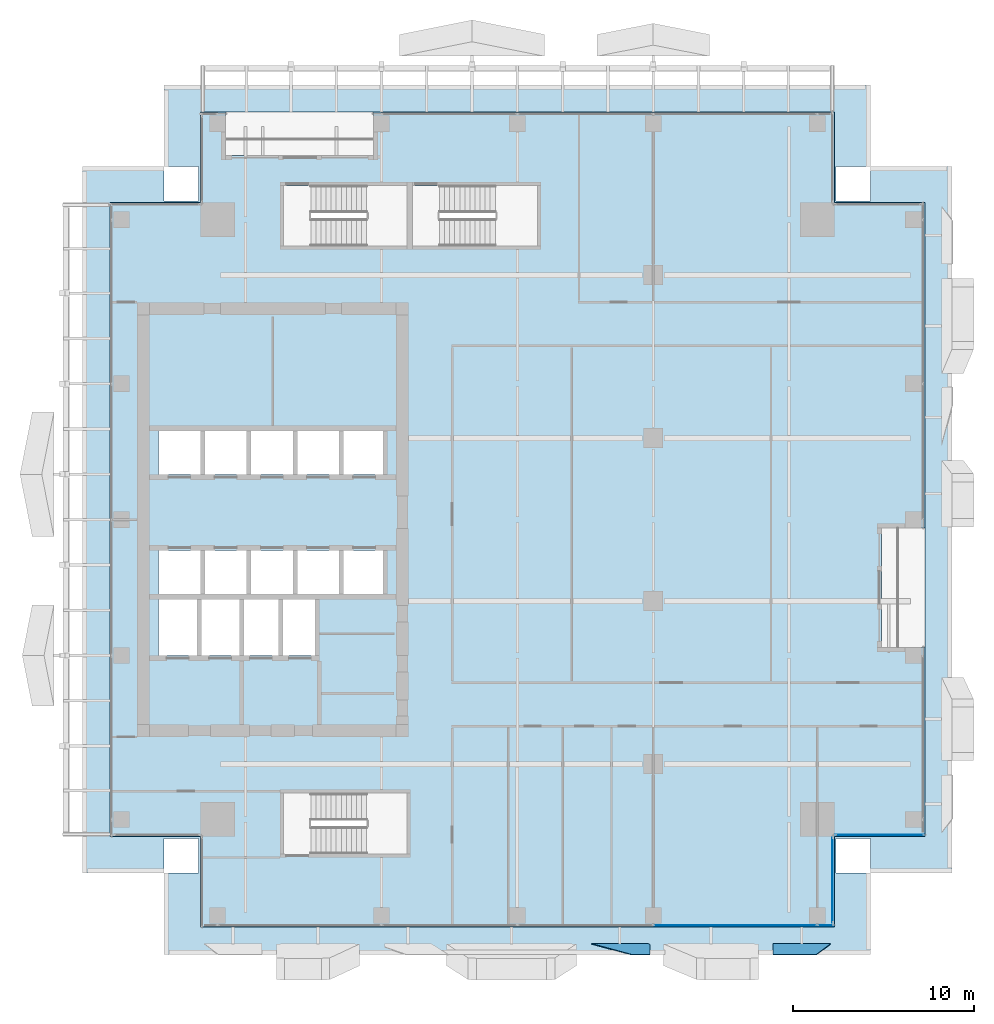
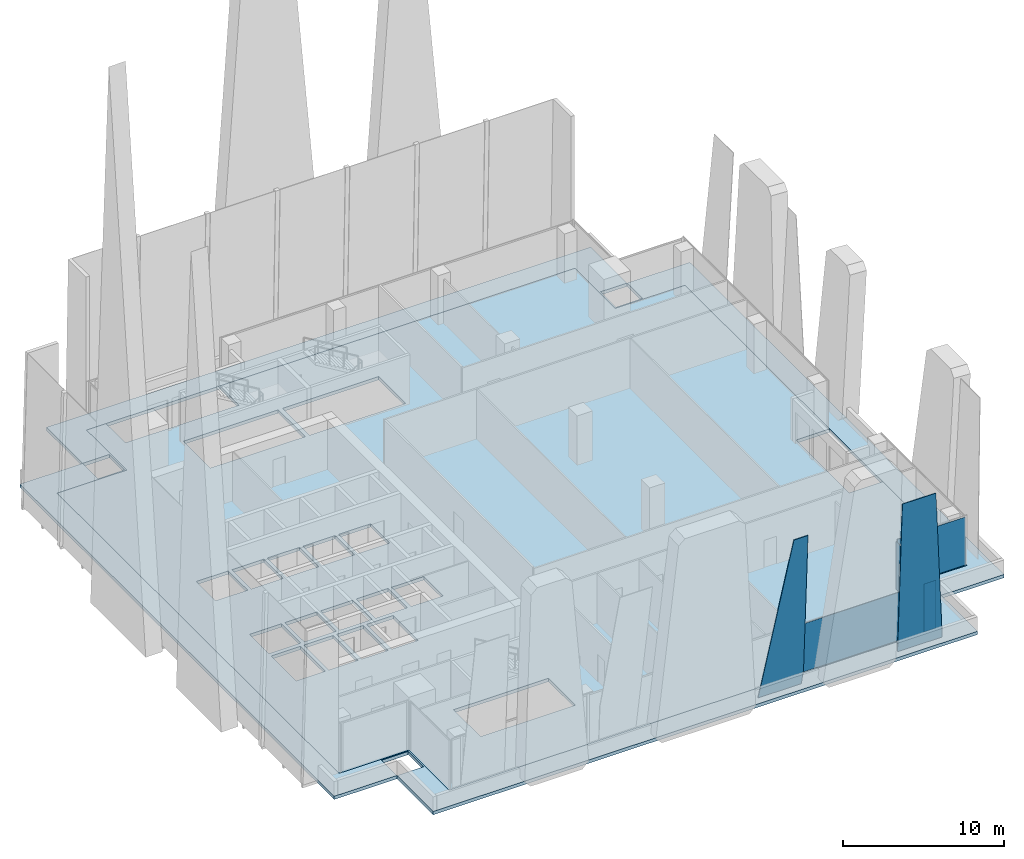
# One storey, part 22 of 33: 6 plates, 2 slabs, 3 elements without a shape of their own.
"""IFC4 building model written with IfcOpenShell, lengths in metres."""

from ifc_helpers import new_model, si_unit, direction, frame, origin, origin_2d, place, context, subcontext, project, spatial, polyline, rectangle, outline, extrude, source, transform, mapped, material, layer, layer_set, type_object, element, aggregate, save


model = new_model("IFC4")

# Units and contexts
model_context = context("Model", 3, precision=1e-05, world=origin(), true_north=direction((0.0, 1.0)))
body_context = subcontext(model_context, "Body", "Model", "MODEL_VIEW")
ifc_project = project(units=[si_unit("LENGTHUNIT", "METRE"), si_unit("AREAUNIT", "SQUARE_METRE"), si_unit("VOLUMEUNIT", "CUBIC_METRE"), si_unit("PLANEANGLEUNIT", "RADIAN"), si_unit("MASSUNIT", "GRAM", prefix="KILO")], contexts=[model_context])

# Site, building, storey
site_placement = place(None, origin())
site = spatial("IfcSite", under=ifc_project, at=site_placement, CompositionType="ELEMENT")
building_placement = place(site_placement, origin())
building = spatial("IfcBuilding", under=site, at=building_placement, Name="Khomas Fold Tower", CompositionType="ELEMENT")
storey_placement = place(building_placement, frame((0.0, 0.0, 222.199951171875)))
storey = spatial("IfcBuildingStorey", under=building, at=storey_placement, Name="L49", CompositionType="ELEMENT", Elevation=222.199951171875)

# Plates
ifc_material_1 = material(Name="Clear laminated glass", Category="glass")
ifc_layer_1 = layer(ifc_material_1, 0.0400390625)
ifc_layer_set_1 = layer_set([ifc_layer_1], Name="Clear laminated glass")
plate_type_1 = type_object("IfcPlateType", Name="SK-Clear laminated glass leaf", PredefinedType="SHEET", material=ifc_layer_set_1)
plate_1_placement = place(storey_placement, frame((34.198486328125, 3.60009765625, 0.0), z_axis=(6.76595e-07, 0.998628828593, 0.052349428866), x_axis=(-1.0, 6.75667e-07, 3.5419e-08)))
element("IfcPlate", 1, at=plate_1_placement, inside=storey, type_object=plate_type_1, Name="OUTER SKIN glass L49 SG102-3", PredefinedType="SHEET", context=body_context, shape_type="SweptSolid", body=[
    extrude(outline(polyline([(0.0, 0.0), (3.0947265624992917, 0.0), (0.8737792968747398, 11.56590767468331), (-0.13159179687503011, 11.56590767468331), (-0.13159179687690706, 1.0539355104953496), (0.0, 0.0)])), origin(), (0.0, 0.0, -1.0), 0.0400390625),
])
plate_2_placement = place(storey_placement, frame((44.299560546875, 3.60009765625, 0.0), z_axis=(0.0, 0.99862882819, 0.052349436554), x_axis=(-1.0, 0.0, 0.0)))
element("IfcPlate", 2, at=plate_2_placement, inside=storey, type_object=plate_type_1, Name="OUTER SKIN glass L49 SG104-4", PredefinedType="SHEET", context=body_context, shape_type="SweptSolid", body=[
    extrude(outline(polyline([(0.0, 0.0), (3.199462890625, 0.0), (3.199462890625, 11.565907674683308), (0.799560546875, 11.565907674683308), (0.0, 0.0)])), origin(), (0.0, 0.0, -1.0), 0.0400390625),
])

# Slabs
ifc_material_2 = material(Name="Concrete C40/50", Category="concrete")
ifc_layer_2 = layer(ifc_material_2, 0.25)
ifc_layer_set_2 = layer_set([ifc_layer_2], Name="Concrete C40/50")
slab_type_1 = type_object("IfcSlabType", Name="RC floor slab 250", PredefinedType="FLOOR", material=ifc_layer_set_2)
shared_shape_1 = source(origin(), body_context, "Body", "SweptSolid", [
    extrude(outline(polyline([(4.5, 9.5), (9.5, 9.5), (9.5, 4.5), (44.5, 4.5), (44.5, 9.5), (49.5, 9.5), (49.5, 19.949951171875), (47.10009765625, 19.949951171875), (47.10009765625, 26.550048828125), (49.5, 26.550048828125), (49.5, 44.5), (44.5, 44.5), (44.5, 49.5), (19.050048828125, 49.5), (19.050048828125, 47.10009765625), (10.89990234375, 47.10009765625), (10.89990234375, 49.5), (9.5, 49.5), (9.5, 44.5), (4.5, 44.5), (4.5, 9.5)]), holes=[polyline([(7.199951171875, 19.5), (7.199951171875, 22.60009765625), (9.300048828125, 22.60009765625), (9.300048828125, 19.5), (7.199951171875, 19.5)]), polyline([(7.199951171875, 22.89990234375), (7.199951171875, 25.300048828125), (9.5, 25.300048828125), (9.5, 22.89990234375), (7.199951171875, 22.89990234375)]), polyline([(7.199951171875, 29.5), (7.199951171875, 31.89990234375), (9.5, 31.89990234375), (9.5, 29.5), (7.199951171875, 29.5)]), polyline([(9.550048828125, 19.5), (9.550048828125, 22.60009765625), (11.64990234375, 22.60009765625), (11.64990234375, 19.5), (9.550048828125, 19.5)]), polyline([(9.75, 22.89990234375), (9.75, 25.300048828125), (12.050048828125, 25.300048828125), (12.050048828125, 22.89990234375), (9.75, 22.89990234375)]), polyline([(9.75, 29.5), (9.75, 31.89990234375), (12.050048828125, 31.89990234375), (12.050048828125, 29.5), (9.75, 29.5)]), polyline([(11.89990234375, 19.5), (11.89990234375, 22.60009765625), (13.800048828125, 22.60009765625), (13.800048828125, 19.5), (11.89990234375, 19.5)]), polyline([(12.300048828125, 22.89990234375), (12.300048828125, 25.300048828125), (14.60009765625, 25.300048828125), (14.60009765625, 22.89990234375), (12.300048828125, 22.89990234375)]), polyline([(12.300048828125, 29.5), (12.300048828125, 31.89990234375), (14.60009765625, 31.89990234375), (14.60009765625, 29.5), (12.300048828125, 29.5)]), polyline([(14.050048828125, 19.5), (14.050048828125, 22.60009765625), (15.949951171875, 22.60009765625), (15.949951171875, 19.5), (14.050048828125, 19.5)]), polyline([(14.10009765625, 8.550048828125), (14.10009765625, 11.89990234375), (20.89990234375, 11.89990234375), (20.89990234375, 8.550048828125), (14.10009765625, 8.550048828125)]), polyline([(14.10009765625, 42.10009765625), (14.10009765625, 45.449951171875), (20.89990234375, 45.449951171875), (20.89990234375, 42.10009765625), (14.10009765625, 42.10009765625)]), polyline([(14.85009765625, 22.89990234375), (14.85009765625, 25.300048828125), (17.14990234375, 25.300048828125), (17.14990234375, 22.89990234375), (14.85009765625, 22.89990234375)]), polyline([(14.85009765625, 29.5), (14.85009765625, 31.89990234375), (17.14990234375, 31.89990234375), (17.14990234375, 29.5), (14.85009765625, 29.5)]), polyline([(17.39990234375, 22.89990234375), (17.39990234375, 25.300048828125), (19.699951171875, 25.300048828125), (19.699951171875, 22.89990234375), (17.39990234375, 22.89990234375)]), polyline([(17.39990234375, 29.5), (17.39990234375, 31.89990234375), (19.699951171875, 31.89990234375), (19.699951171875, 29.5), (17.39990234375, 29.5)]), polyline([(21.199951171875, 42.10009765625), (21.199951171875, 45.449951171875), (28.10009765625, 45.449951171875), (28.10009765625, 42.10009765625), (21.199951171875, 42.10009765625)])]), origin(), (0.0, 0.0, 1.0), 0.25),
])
slab_1_placement = place(storey_placement, frame((0.0, 0.0, -0.25)))
element("IfcSlab", 3, at=slab_1_placement, inside=storey, type_object=slab_type_1, Name="S-L49", PredefinedType="FLOOR", context=body_context, shape_type="MappedRepresentation", body=[
    mapped(shared_shape_1, transform((0.0, 0.0, 0.0))),
])
ifc_material_3 = material(Name="Concrete C40/50", Category="concrete")
ifc_layer_3 = layer(ifc_material_3, 0.25)
ifc_layer_set_3 = layer_set([ifc_layer_3], Name="Concrete C40/50")
slab_type_2 = type_object("IfcSlabType", Name="RC roof slab 250", PredefinedType="ROOF", material=ifc_layer_set_3)
shared_shape_2 = source(origin(), body_context, "Body", "SweptSolid", [
    extrude(outline(polyline([(3.0, 7.5), (7.4951171875, 7.5), (7.4951171875, 9.405029296875), (9.405029296875, 9.405029296875), (9.405029296875, 7.4951171875), (7.5, 7.4951171875), (7.5, 3.0), (46.5, 3.0), (46.5, 7.4951171875), (44.594970703125, 7.4951171875), (44.594970703125, 9.405029296875), (46.5048828125, 9.405029296875), (46.5048828125, 7.5), (51.0, 7.5), (51.0, 46.5), (46.5048828125, 46.5), (46.5048828125, 44.594970703125), (44.594970703125, 44.594970703125), (44.594970703125, 46.5048828125), (46.5, 46.5048828125), (46.5, 51.0), (7.5, 51.0), (7.5, 46.5048828125), (9.405029296875, 46.5048828125), (9.405029296875, 44.594970703125), (7.4951171875, 44.594970703125), (7.4951171875, 46.5), (3.0, 46.5), (3.0, 7.5)]), holes=[polyline([(4.5, 9.5), (4.5, 44.5), (9.5, 44.5), (9.5, 49.5), (44.5, 49.5), (44.5, 44.5), (49.5, 44.5), (49.5, 9.5), (44.5, 9.5), (44.5, 4.5), (9.5, 4.5), (9.5, 9.5), (4.5, 9.5)])]), origin(), (0.0, 0.0, 1.0), 0.25),
])
slab_2_placement = place(storey_placement, frame((0.0, 0.0, -0.25)))
element("IfcSlab", 4, at=slab_2_placement, inside=storey, type_object=slab_type_2, Name="Setback roof slab", PredefinedType="ROOF", context=body_context, shape_type="MappedRepresentation", body=[
    mapped(shared_shape_2, transform((0.0, 0.0, 0.0))),
])

# Curtain wall, plates
ifc_material_4 = material(Name="Aluminium framed double glazing", Category="aluminium")
curtain_wall_type = type_object("IfcCurtainWallType", Name="SK-Unitised clear-glass wall, office floors CW2", PredefinedType="NOTDEFINED", material=ifc_material_4)
curtain_wall_1_placement = place(storey_placement, origin())
curtain_wall_1 = element("IfcCurtainWall", 5, at=curtain_wall_1_placement, inside=storey, type_object=curtain_wall_type, Name="CW2 run L49 00-0", PredefinedType="NOTDEFINED")
ifc_material_5 = material(Name="Clear double glazed unit")
ifc_layer_4 = layer(ifc_material_5, 0.030029296875)
ifc_layer_set_4 = layer_set([ifc_layer_4], Name="Clear double glazed unit")
plate_type_2 = type_object("IfcPlateType", Name="SK-Unitised clear-glass wall, office floors glass panel CW2-P", PredefinedType="CURTAIN_PANEL", material=ifc_layer_set_4)
shared_shape_3 = source(origin(), body_context, "Body", "SweptSolid", [
    extrude(rectangle(XDim=0.860107421875, YDim=0.030029296875, at=origin_2d()), origin(), (0.0, 0.0, 1.0), 3.639892578125),
])
plate_3_placement = place(storey_placement, frame((44.010009765625, 4.60009765625, 0.0), z_axis=(0.0, 0.0, 1.0), x_axis=(1.0, 0.0, 0.0)))
plate_3 = element("IfcPlate", 6, at=plate_3_placement, type_object=plate_type_2, Name="CW2 glass panel 6", PredefinedType="CURTAIN_PANEL", context=body_context, shape_type="MappedRepresentation", body=[
    mapped(shared_shape_3, transform((0.0, 0.0, 0.0))),
])
shared_shape_4 = source(origin(), body_context, "Body", "SweptSolid", [
    extrude(rectangle(XDim=8.989990234375, YDim=0.030029296875, at=origin_2d()), origin(), (0.0, 0.0, 1.0), 3.639892578125),
])
plate_4_placement = place(storey_placement, frame((39.02490234375, 4.60009765625, 0.0), z_axis=(0.0, 0.0, 1.0), x_axis=(1.0, 0.0, 0.0)))
plate_4 = element("IfcPlate", 7, at=plate_4_placement, type_object=plate_type_2, Name="CW2 glass panel 5", PredefinedType="CURTAIN_PANEL", context=body_context, shape_type="MappedRepresentation", body=[
    mapped(shared_shape_4, transform((0.0, 0.0, 0.0))),
])
aggregate(curtain_wall_1, [plate_4, plate_3])

# Curtain wall, plate
curtain_wall_2_placement = place(storey_placement, origin())
curtain_wall_2 = element("IfcCurtainWall", 8, at=curtain_wall_2_placement, inside=storey, type_object=curtain_wall_type, Name="CW2 corner return L49 01", PredefinedType="NOTDEFINED")
shared_shape_5 = source(origin(), body_context, "Body", "SweptSolid", [
    extrude(rectangle(XDim=4.679931640625, YDim=0.030029296875, at=origin_2d()), origin(), (0.0, 0.0, 1.0), 3.639892578125),
])
plate_5_placement = place(storey_placement, frame((44.39990234375, 7.10009765625, 0.0), z_axis=(0.0, 0.0, 1.0), x_axis=(0.0, 1.0, 0.0)))
plate_5 = element("IfcPlate", 9, at=plate_5_placement, type_object=plate_type_2, Name="CW2 glass panel 1", PredefinedType="CURTAIN_PANEL", context=body_context, shape_type="MappedRepresentation", body=[
    mapped(shared_shape_5, transform((0.0, 0.0, 0.0))),
])
aggregate(curtain_wall_2, [plate_5])

curtain_wall_3_placement = place(storey_placement, origin())
curtain_wall_3 = element("IfcCurtainWall", 10, at=curtain_wall_3_placement, inside=storey, type_object=curtain_wall_type, Name="CW2 corner return L49 02", PredefinedType="NOTDEFINED")
shared_shape_6 = source(origin(), body_context, "Body", "SweptSolid", [
    extrude(rectangle(XDim=4.8798828125, YDim=0.030029296875, at=origin_2d()), origin(), (0.0, 0.0, 1.0), 3.639892578125),
])
plate_6_placement = place(storey_placement, frame((47.0, 9.60009765625, 0.0), z_axis=(0.0, 0.0, 1.0), x_axis=(1.0, 0.0, 0.0)))
plate_6 = element("IfcPlate", 11, at=plate_6_placement, type_object=plate_type_2, Name="CW2 glass panel 1", PredefinedType="CURTAIN_PANEL", context=body_context, shape_type="MappedRepresentation", body=[
    mapped(shared_shape_6, transform((0.0, 0.0, 0.0))),
])
aggregate(curtain_wall_3, [plate_6])

save(model, "model.ifc")
